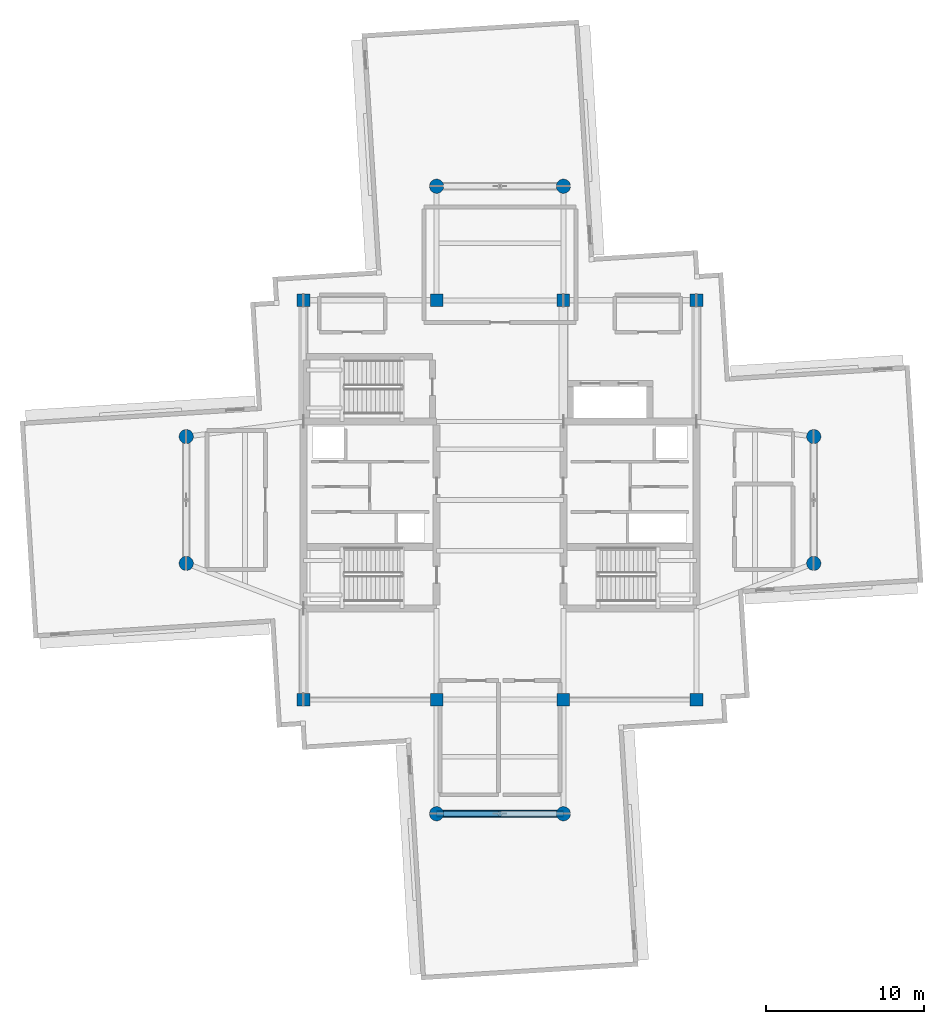
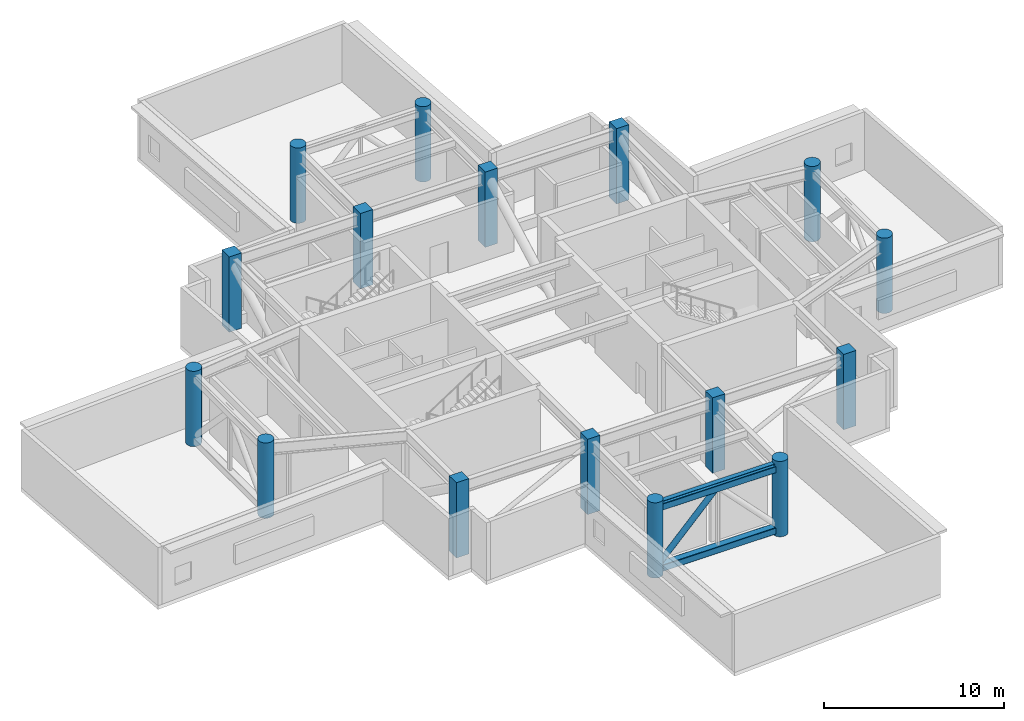
# One storey, part 1 of 14: 16 columns, 3 members, 1 beam.
"""IFC4 building model written with IfcOpenShell, lengths in metres."""

from ifc_helpers import new_model, si_unit, direction, frame, origin, origin_2d, place, context, subcontext, project, spatial, rectangle, hollow_rectangle, circle, hollow_circle, i_section, extrude, material, material_profile, profile_set, type_object, element, save


model = new_model("IFC4")

# Units and contexts
model_context = context("Model", 3, precision=1e-05, world=origin(), true_north=direction((0.0, 1.0)))
body_context = subcontext(model_context, "Body", "Model", "MODEL_VIEW")
ifc_project = project(units=[si_unit("LENGTHUNIT", "METRE"), si_unit("AREAUNIT", "SQUARE_METRE"), si_unit("VOLUMEUNIT", "CUBIC_METRE"), si_unit("PLANEANGLEUNIT", "RADIAN"), si_unit("MASSUNIT", "GRAM", prefix="KILO")], contexts=[model_context])

# Site, building, storey
site_placement = place(None, origin())
site = spatial("IfcSite", under=ifc_project, at=site_placement, CompositionType="ELEMENT")
building_placement = place(site_placement, origin())
building = spatial("IfcBuilding", under=site, at=building_placement, Name="Qingluan Cross Belvedere", CompositionType="ELEMENT")
storey_placement = place(building_placement, frame((0.0, 0.0, 288.89990234375)))
storey = spatial("IfcBuildingStorey", under=building, at=storey_placement, Name="L72", CompositionType="ELEMENT", Elevation=288.89990234375)

# Columns
ifc_material_1 = material(Name="Concrete C50", Category="concrete")
ifc_material_profile_1 = material_profile(ifc_material_1, rectangle(XDim=0.800048828125, YDim=0.800048828125, at=origin_2d()), Name="RC800x800")
ifc_profile_set_1 = profile_set([ifc_material_profile_1], Name="Concrete C50")
column_type_1 = type_object("IfcColumnType", Name="Column_RC800x800", PredefinedType="COLUMN", material=ifc_profile_set_1)
for number, where, z_axis, x_axis, name in (
    (1, (-12.39990234375, -12.60009765625, 0.0), (0.0, 0.0, 1.0), (1.0, 0.0, 0.0), "Hub column L72-HC1"),
    (2, (12.39990234375, -12.60009765625, 0.0), (0.0, 0.0, 1.0), (1.0, 0.0, 0.0), "Hub column L72-HC2"),
    (3, (12.39990234375, 12.60009765625, 0.0), (0.0, 0.0, 1.0), (1.0, 0.0, 0.0), "Hub column L72-HC3"),
    (4, (-12.39990234375, 12.60009765625, 0.0), (0.0, 0.0, 1.0), (1.0, 0.0, 0.0), "Hub column L72-HC4"),
    (5, (-4.0, -12.60009765625, 0.0), (0.0, 0.0, 1.0), (1.0, 0.0, 0.0), "Hub column L72-HC5"),
    (6, (4.0, -12.60009765625, 0.0), (0.0, 0.0, 1.0), (1.0, 0.0, 0.0), "Hub column L72-HC6"),
    (7, (4.0, 12.60009765625, 0.0), (0.0, 0.0, 1.0), (1.0, 0.0, 0.0), "Hub column L72-HC7"),
    (8, (-4.0, 12.60009765625, 0.0), (0.0, 0.0, 1.0), (1.0, 0.0, 0.0), "Hub column L72-HC8"),
):
    element("IfcColumn", number, at=place(storey_placement, frame(where, z_axis=z_axis, x_axis=x_axis)), inside=storey, type_object=column_type_1, Name=name, PredefinedType="COLUMN", context=body_context, shape_type="SweptSolid", body=[
        extrude(rectangle(XDim=0.800048828125, YDim=0.800048828125, at=origin_2d()), origin(), (0.0, 0.0, 1.0), 5.10009765625),
    ])
ifc_material_2 = material(Name="Concrete C50", Category="concrete")
ifc_material_profile_2 = material_profile(ifc_material_2, circle(Radius=0.449951171875, at=origin_2d()), Name="RCC900")
ifc_profile_set_2 = profile_set([ifc_material_profile_2], Name="Concrete C50")
column_type_2 = type_object("IfcColumnType", Name="Column_RCC900", PredefinedType="COLUMN", material=ifc_profile_set_2)
for number, where, z_axis, x_axis, name in (
    (9, (19.800048828125, -4.0, 0.0), (0.0, 0.0, 1.0), (1.0, 0.0, 0.0), "Arm column L72-EIA"),
    (10, (19.800048828125, 4.0, 0.0), (0.0, 0.0, 1.0), (1.0, 0.0, 0.0), "Arm column L72-EIB"),
    (11, (-19.800048828125, -4.0, 0.0), (0.0, 0.0, 1.0), (1.0, 0.0, 0.0), "Arm column L72-WIA"),
    (12, (-19.800048828125, 4.0, 0.0), (0.0, 0.0, 1.0), (1.0, 0.0, 0.0), "Arm column L72-WIB"),
    (13, (-4.0, -19.800048828125, 0.0), (0.0, 0.0, 1.0), (1.0, 0.0, 0.0), "Arm column L72-SIA"),
    (14, (4.0, -19.800048828125, 0.0), (0.0, 0.0, 1.0), (1.0, 0.0, 0.0), "Arm column L72-SIB"),
    (15, (-4.0, 19.800048828125, 0.0), (0.0, 0.0, 1.0), (1.0, 0.0, 0.0), "Arm column L72-NIA"),
    (16, (4.0, 19.800048828125, 0.0), (0.0, 0.0, 1.0), (1.0, 0.0, 0.0), "Arm column L72-NIB"),
):
    element("IfcColumn", number, at=place(storey_placement, frame(where, z_axis=z_axis, x_axis=x_axis)), inside=storey, type_object=column_type_2, Name=name, PredefinedType="COLUMN", context=body_context, shape_type="SweptSolid", body=[
        extrude(circle(Radius=0.449951171875, at=origin_2d()), origin(), (0.0, 0.0, 1.0), 5.10009765625),
    ])

# Members
ifc_material_3 = material(Name="Steel Q420GJB", Category="steel")
ifc_material_profile_3 = material_profile(ifc_material_3, hollow_circle(Radius=0.177490234375, WallThickness=0.01611328125, at=origin_2d()), Name="CHS355x16")
ifc_profile_set_3 = profile_set([ifc_material_profile_3], Name="Steel Q420GJB")
member_type_1 = type_object("IfcMemberType", Name="SteelMember_BRACE_CHS355x16", PredefinedType="BRACE", material=ifc_profile_set_3)
member_placement = place(storey_placement, frame((-4.0, -19.800048828125, 0.35009765625), z_axis=(0.693983482825, 0.0, 0.719990920475), x_axis=(0.0, 1.0, 0.0)))
element("IfcMember", 17, at=member_placement, inside=storey, type_object=member_type_1, Name="Belt truss diagonal A L72-S", PredefinedType="BRACE", context=body_context, shape_type="SweptSolid", body=[
    extrude(hollow_circle(Radius=0.177490234375, WallThickness=0.01611328125, at=origin_2d()), origin(), (0.0, 0.0, 1.0), 5.763916015625),
])
ifc_material_4 = material(Name="Steel Q420GJB", Category="steel")
ifc_material_profile_4 = material_profile(ifc_material_4, hollow_rectangle(XDim=0.449951171875, YDim=0.449951171875, WallThickness=0.02197265625, InnerFilletRadius=0.02197265625, OuterFilletRadius=0.0439453125, at=origin_2d()), Name="RHS450x450x22")
ifc_profile_set_4 = profile_set([ifc_material_profile_4], Name="Steel Q420GJB")
member_type_2 = type_object("IfcMemberType", Name="SteelMember_CHORD_RHS450x450x22", PredefinedType="CHORD", material=ifc_profile_set_4)
for number, where, z_axis, x_axis, name in (
    (18, (-4.0, -19.800048828125, 0.35009765625), (1.0, 0.0, 0.0), (0.0, 1.0, 0.0), "Belt truss bottom chord L72-S"),
    (19, (-4.0, -19.800048828125, 4.5), (1.0, 0.0, 0.0), (0.0, 1.0, 0.0), "Belt truss top chord L72-S"),
):
    element("IfcMember", number, at=place(storey_placement, frame(where, z_axis=z_axis, x_axis=x_axis)), inside=storey, type_object=member_type_2, Name=name, PredefinedType="CHORD", context=body_context, shape_type="SweptSolid", body=[
        extrude(hollow_rectangle(XDim=0.449951171875, YDim=0.449951171875, WallThickness=0.02197265625, InnerFilletRadius=0.02197265625, OuterFilletRadius=0.0439453125, at=origin_2d()), origin(), (0.0, 0.0, 1.0), 8.0),
    ])

# Beam
ifc_material_5 = material(Name="Steel Q420GJB", Category="steel")
ifc_material_profile_5 = material_profile(ifc_material_5, i_section(OverallWidth=0.300048828125, OverallDepth=0.587890625, WebThickness=0.011962890625, FlangeThickness=0.02001953125, FilletRadius=0.02392578125, at=origin_2d()), Name="HM588x300x12x20")
ifc_profile_set_5 = profile_set([ifc_material_profile_5], Name="Steel Q420GJB")
beam_type = type_object("IfcBeamType", Name="Steel_Beam_HM588x300x12x20", PredefinedType="BEAM", material=ifc_profile_set_5)
beam_placement = place(storey_placement, frame((-4.0, -19.800048828125, 4.55615234375), z_axis=(1.0, 0.0, 0.0), x_axis=(0.0, 1.0, 0.0)))
element("IfcBeam", 20, at=beam_placement, inside=storey, type_object=beam_type, Name="Arm S tie L72", PredefinedType="BEAM", context=body_context, shape_type="SweptSolid", body=[
    extrude(i_section(OverallWidth=0.300048828125, OverallDepth=0.587890625, WebThickness=0.011962890625, FlangeThickness=0.02001953125, FilletRadius=0.02392578125, at=origin_2d()), origin(), (0.0, 0.0, 1.0), 8.0),
])

save(model, "model.ifc")
